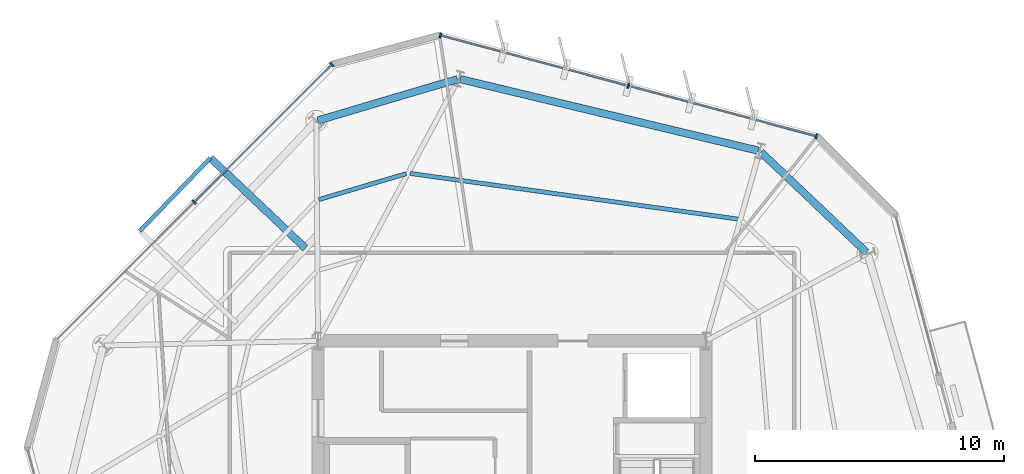
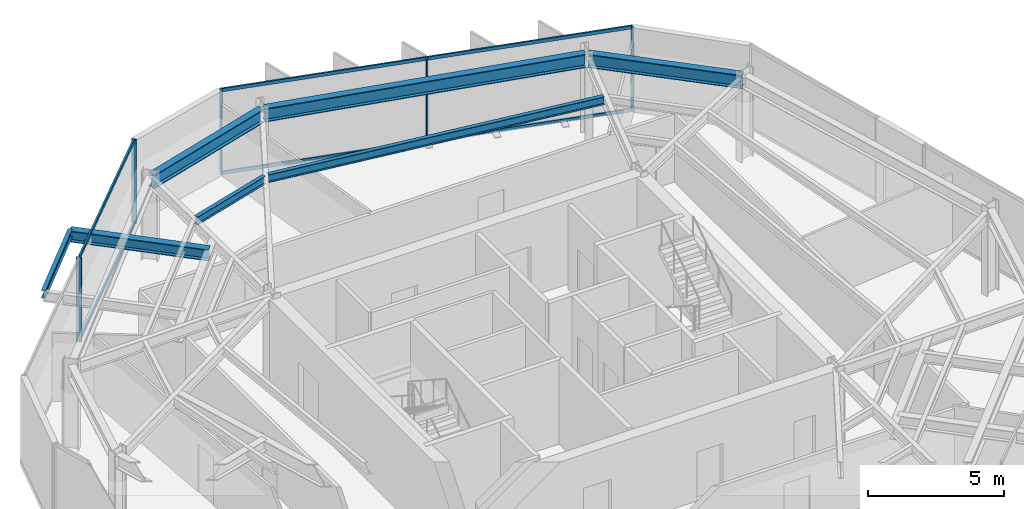
# One storey, part 6 of 12: 11 members, 7 beams, 2 elements without a shape of their own.
"""IFC4 building model written with IfcOpenShell, lengths in metres."""

from ifc_helpers import new_model, si_unit, direction, frame, origin, origin_2d, place, context, subcontext, project, spatial, rectangle, i_section, extrude, material, layer, layer_set, material_profile, profile_set, type_object, element, aggregate, save


model = new_model("IFC4")

# Units and contexts
model_context = context("Model", 3, precision=1e-05, world=origin(), true_north=direction((0.0, 1.0)))
body_context = subcontext(model_context, "Body", "Model", "MODEL_VIEW")
ifc_project = project(units=[si_unit("LENGTHUNIT", "METRE"), si_unit("AREAUNIT", "SQUARE_METRE"), si_unit("VOLUMEUNIT", "CUBIC_METRE"), si_unit("PLANEANGLEUNIT", "RADIAN"), si_unit("MASSUNIT", "GRAM", prefix="KILO")], contexts=[model_context])

# Site, building, storey
site_placement = place(None, origin())
site = spatial("IfcSite", under=ifc_project, at=site_placement, CompositionType="ELEMENT")
building_placement = place(site_placement, origin())
building = spatial("IfcBuilding", under=site, at=building_placement, Name="Kranzbogen Civic Tower", CompositionType="ELEMENT")
storey_placement = place(building_placement, frame((0.0, 0.0, 204.800048828125)))
storey = spatial("IfcBuildingStorey", under=building, at=storey_placement, Name="L49", CompositionType="ELEMENT", Elevation=204.800048828125)

# Curtain wall, members
ifc_material_1 = material(Name="Pale Anodised Aluminium", Category="aluminium")
ifc_layer = layer(ifc_material_1, 0.219970703125, Name="Pale Anodised Aluminium")
ifc_layer_set = layer_set([ifc_layer], Name="Pale Anodised Aluminium")
curtain_wall_type = type_object("IfcCurtainWallType", Name="Zone 3 Stick Curtain Wall System CW-04", PredefinedType="USERDEFINED", material=ifc_layer_set)
curtain_wall_1_placement = place(storey_placement, origin())
curtain_wall_1 = element("IfcCurtainWall", 1, at=curtain_wall_1_placement, inside=storey, type_object=curtain_wall_type, Name="L49 curtain wall CW-L49-F1", ObjectType="STICK CURTAIN WALL", PredefinedType="USERDEFINED")
ifc_material_profile_1 = material_profile(ifc_material_1, rectangle(XDim=0.070068359375, YDim=0.199951171875, at=origin_2d()), Name="ALU-M 70x200")
ifc_profile_set_1 = profile_set([ifc_material_profile_1], Name="Pale Anodised Aluminium")
member_type_1 = type_object("IfcMemberType", Name="Curtain Wall Mullion ALU-M 70x200", PredefinedType="MULLION", material=ifc_profile_set_1)
member_1_placement = place(storey_placement, frame((37.235107421875, 40.4306640625, 0.0), z_axis=(0.0, 0.0, 1.0), x_axis=(-0.965919350079, 0.25884321344, 0.0)))
member_1 = element("IfcMember", 2, at=member_1_placement, type_object=member_type_1, Name="CW-04 mullion 1", PredefinedType="MULLION", context=body_context, shape_type="SweptSolid", body=[
    extrude(rectangle(XDim=0.070068359375, YDim=0.199951171875, at=origin_2d()), origin(), (0.0, 0.0, 1.0), 3.780029296875),
])
member_2_placement = place(storey_placement, frame((29.677490234375, 42.4560546875, 0.0), z_axis=(0.0, 0.0, 1.0), x_axis=(-0.965919350079, 0.25884321344, 0.0)))
member_2 = element("IfcMember", 3, at=member_2_placement, type_object=member_type_1, Name="CW-04 mullion 2", PredefinedType="MULLION", context=body_context, shape_type="SweptSolid", body=[
    extrude(rectangle(XDim=0.070068359375, YDim=0.199951171875, at=origin_2d()), origin(), (0.0, 0.0, 1.0), 3.780029296875),
])
member_3_placement = place(storey_placement, frame((22.119873046875, 44.481201171875, 0.0), z_axis=(0.0, 0.0, 1.0), x_axis=(-0.965919350079, 0.25884321344, 0.0)))
member_3 = element("IfcMember", 4, at=member_3_placement, type_object=member_type_1, Name="CW-04 mullion 3", PredefinedType="MULLION", context=body_context, shape_type="SweptSolid", body=[
    extrude(rectangle(XDim=0.070068359375, YDim=0.199951171875, at=origin_2d()), origin(), (0.0, 0.0, 1.0), 3.780029296875),
])

curtain_wall_2_placement = place(storey_placement, origin())
curtain_wall_2 = element("IfcCurtainWall", 5, at=curtain_wall_2_placement, inside=storey, type_object=curtain_wall_type, Name="L49 curtain wall CW-L49-F2", ObjectType="STICK CURTAIN WALL", PredefinedType="USERDEFINED")
member_4_placement = place(storey_placement, frame((17.75390625, 43.310791015625, 0.0), z_axis=(0.0, 0.0, 1.0), x_axis=(-0.707106781187, -0.707106781187, 0.0)))
member_4 = element("IfcMember", 6, at=member_4_placement, type_object=member_type_1, Name="CW-04 mullion 1", PredefinedType="MULLION", context=body_context, shape_type="SweptSolid", body=[
    extrude(rectangle(XDim=0.070068359375, YDim=0.199951171875, at=origin_2d()), origin(), (0.0, 0.0, 1.0), 3.780029296875),
])
member_5_placement = place(storey_placement, frame((12.221435546875, 37.778564453125, 0.0), z_axis=(0.0, 0.0, 1.0), x_axis=(-0.707106781187, -0.707106781187, 0.0)))
member_5 = element("IfcMember", 7, at=member_5_placement, type_object=member_type_1, Name="CW-04 mullion 2", PredefinedType="MULLION", context=body_context, shape_type="SweptSolid", body=[
    extrude(rectangle(XDim=0.070068359375, YDim=0.199951171875, at=origin_2d()), origin(), (0.0, 0.0, 1.0), 3.780029296875),
])

# Member
ifc_material_profile_2 = material_profile(ifc_material_1, rectangle(XDim=0.070068359375, YDim=0.14990234375, at=origin_2d()), Name="ALU-T 70x150")
ifc_profile_set_2 = profile_set([ifc_material_profile_2], Name="Pale Anodised Aluminium")
member_type_2 = type_object("IfcMemberType", Name="Curtain Wall Transom ALU-T 70x150", PredefinedType="USERDEFINED", material=ifc_profile_set_2)
member_6_placement = place(storey_placement, frame((37.2060546875, 40.4384765625, 0.030029296875), z_axis=(-0.965916889874, 0.258852393953, 0.0), x_axis=(-0.258852393953, -0.965916889874, 0.0)))
member_6 = element("IfcMember", 8, at=member_6_placement, type_object=member_type_2, Name="CW-04 transom 1.1", ObjectType="TRANSOM", PredefinedType="USERDEFINED", context=body_context, shape_type="SweptSolid", body=[
    extrude(rectangle(XDim=0.070068359375, YDim=0.14990234375, at=origin_2d()), origin(), (0.0, 0.0, 1.0), 7.76416015625),
])

member_7_placement = place(storey_placement, frame((37.2060546875, 40.4384765625, 3.75), z_axis=(-0.965916889874, 0.258852393953, 0.0), x_axis=(-0.258852393953, -0.965916889874, 0.0)))
member_7 = element("IfcMember", 9, at=member_7_placement, type_object=member_type_2, Name="CW-04 transom 1.2", ObjectType="TRANSOM", PredefinedType="USERDEFINED", context=body_context, shape_type="SweptSolid", body=[
    extrude(rectangle(XDim=0.070068359375, YDim=0.14990234375, at=origin_2d()), origin(), (0.0, 0.0, 1.0), 7.76416015625),
])

member_8_placement = place(storey_placement, frame((29.6484375, 42.4638671875, 0.030029296875), z_axis=(-0.965924751597, 0.258823055876, 0.0), x_axis=(-0.258823055876, -0.965924751597, 0.0)))
member_8 = element("IfcMember", 10, at=member_8_placement, type_object=member_type_2, Name="CW-04 transom 2.1", ObjectType="TRANSOM", PredefinedType="USERDEFINED", context=body_context, shape_type="SweptSolid", body=[
    extrude(rectangle(XDim=0.070068359375, YDim=0.14990234375, at=origin_2d()), origin(), (0.0, 0.0, 1.0), 7.76416015625),
])

member_9_placement = place(storey_placement, frame((29.6484375, 42.4638671875, 3.75), z_axis=(-0.965924751597, 0.258823055876, 0.0), x_axis=(-0.258823055876, -0.965924751597, 0.0)))
member_9 = element("IfcMember", 11, at=member_9_placement, type_object=member_type_2, Name="CW-04 transom 2.2", ObjectType="TRANSOM", PredefinedType="USERDEFINED", context=body_context, shape_type="SweptSolid", body=[
    extrude(rectangle(XDim=0.070068359375, YDim=0.14990234375, at=origin_2d()), origin(), (0.0, 0.0, 1.0), 7.76416015625),
])

aggregate(curtain_wall_1, [member_1, member_2, member_3, member_6, member_7, member_8, member_9])

member_10_placement = place(storey_placement, frame((17.732666015625, 43.28955078125, 0.030029296875), z_axis=(-0.70712250393, -0.707091058094, 0.0), x_axis=(0.707091058094, -0.70712250393, 0.0)))
member_10 = element("IfcMember", 12, at=member_10_placement, type_object=member_type_2, Name="CW-04 transom 1.1", ObjectType="TRANSOM", PredefinedType="USERDEFINED", context=body_context, shape_type="SweptSolid", body=[
    extrude(rectangle(XDim=0.070068359375, YDim=0.14990234375, at=origin_2d()), origin(), (0.0, 0.0, 1.0), 7.763916015625),
])

member_11_placement = place(storey_placement, frame((17.732666015625, 43.28955078125, 3.75), z_axis=(-0.70712250393, -0.707091058094, 0.0), x_axis=(0.707091058094, -0.70712250393, 0.0)))
member_11 = element("IfcMember", 13, at=member_11_placement, type_object=member_type_2, Name="CW-04 transom 1.2", ObjectType="TRANSOM", PredefinedType="USERDEFINED", context=body_context, shape_type="SweptSolid", body=[
    extrude(rectangle(XDim=0.070068359375, YDim=0.14990234375, at=origin_2d()), origin(), (0.0, 0.0, 1.0), 7.763916015625),
])

aggregate(curtain_wall_2, [member_4, member_5, member_10, member_11])

# Beams
ifc_material_2 = material(Name="Steel S355", Category="steel")
ifc_material_profile_3 = material_profile(ifc_material_2, i_section(OverallWidth=0.300048828125, OverallDepth=0.5, WebThickness=0.014404296875, FlangeThickness=0.028076171875, at=origin_2d()), Name="HEB 500")
ifc_profile_set_3 = profile_set([ifc_material_profile_3], Name="Steel S355")
beam_type_1 = type_object("IfcBeamType", Name="Perimeter Tube Spandrel Beam HEB 500", PredefinedType="SPANDREL", material=ifc_profile_set_3)
beam_1_placement = place(storey_placement, frame((16.693115234375, 35.929931640625, 3.5), z_axis=(-0.725296873396, 0.688436231936, 0.0), x_axis=(-0.688436231936, -0.725296873396, 0.0)))
element("IfcBeam", 14, at=beam_1_placement, inside=storey, type_object=beam_type_1, Name="L50 back-spanned terrace beam L50-TB1-1", PredefinedType="SPANDREL", context=body_context, shape_type="SweptSolid", body=[
    extrude(i_section(OverallWidth=0.300048828125, OverallDepth=0.5, WebThickness=0.014404296875, FlangeThickness=0.028076171875, at=origin_2d()), origin(), (0.0, 0.0, 1.0), 5.265625),
])
ifc_material_profile_4 = material_profile(ifc_material_2, i_section(OverallWidth=0.300048828125, OverallDepth=0.60009765625, WebThickness=0.015380859375, FlangeThickness=0.030029296875, at=origin_2d()), Name="HEB 600")
ifc_profile_set_4 = profile_set([ifc_material_profile_4], Name="Steel S355")
beam_type_2 = type_object("IfcBeamType", Name="Perimeter Tube Spandrel Beam HEB 600", PredefinedType="SPANDREL", material=ifc_profile_set_4)
beam_2_placement = place(storey_placement, frame((39.2490234375, 35.764892578125, 3.47998046875), z_axis=(-0.725245206788, 0.688490660816, 0.0), x_axis=(-0.688490660816, -0.725245206788, 0.0)))
element("IfcBeam", 15, at=beam_2_placement, inside=storey, type_object=beam_type_2, Name="L49 perimeter spandrel beam 07", PredefinedType="SPANDREL", context=body_context, shape_type="SweptSolid", body=[
    extrude(i_section(OverallWidth=0.300048828125, OverallDepth=0.60009765625, WebThickness=0.015380859375, FlangeThickness=0.030029296875, at=origin_2d()), origin(), (0.0, 0.0, 1.0), 5.85205078125),
])
beam_3_placement = place(storey_placement, frame((34.903076171875, 39.84912109375, 3.47998046875), z_axis=(-0.972377592092, 0.233413406637, 0.0), x_axis=(-0.233413406637, -0.972377592092, 0.0)))
element("IfcBeam", 16, at=beam_3_placement, inside=storey, type_object=beam_type_2, Name="L49 perimeter spandrel beam 08", PredefinedType="SPANDREL", context=body_context, shape_type="SweptSolid", body=[
    extrude(i_section(OverallWidth=0.300048828125, OverallDepth=0.60009765625, WebThickness=0.015380859375, FlangeThickness=0.030029296875, at=origin_2d()), origin(), (0.0, 0.0, 1.0), 12.32568359375),
])
beam_4_placement = place(storey_placement, frame((22.802001953125, 42.722900390625, 3.47998046875), z_axis=(-0.9588296723, -0.283981794341, 0.0), x_axis=(0.283981794341, -0.9588296723, 0.0)))
element("IfcBeam", 17, at=beam_4_placement, inside=storey, type_object=beam_type_2, Name="L49 perimeter spandrel beam 09", PredefinedType="SPANDREL", context=body_context, shape_type="SweptSolid", body=[
    extrude(i_section(OverallWidth=0.300048828125, OverallDepth=0.60009765625, WebThickness=0.015380859375, FlangeThickness=0.030029296875, at=origin_2d()), origin(), (0.0, 0.0, 1.0), 5.85205078125),
])
ifc_material_profile_5 = material_profile(ifc_material_2, i_section(OverallWidth=0.169921875, OverallDepth=0.360107421875, WebThickness=0.008056640625, FlangeThickness=0.0126953125, at=origin_2d()), Name="IPE 360")
ifc_profile_set_5 = profile_set([ifc_material_profile_5], Name="Steel S355")
beam_type_3 = type_object("IfcBeamType", Name="Secondary Composite Floor Joist IPE 360", PredefinedType="JOIST", material=ifc_profile_set_5)
beam_5_placement = place(storey_placement, frame((34.10400390625, 37.096923828125, 3.599853515625), z_axis=(-0.990445837232, 0.137902296968, 0.0), x_axis=(-0.137902296968, -0.990445837232, 0.0)))
element("IfcBeam", 18, at=beam_5_placement, inside=storey, type_object=beam_type_3, Name="L49 secondary floor joist 1.08", PredefinedType="JOIST", context=body_context, shape_type="SweptSolid", body=[
    extrude(i_section(OverallWidth=0.169921875, OverallDepth=0.360107421875, WebThickness=0.008056640625, FlangeThickness=0.0126953125, at=origin_2d()), origin(), (0.0, 0.0, 1.0), 13.329345703125),
])
beam_6_placement = place(storey_placement, frame((20.74609375, 38.923095703125, 3.599853515625), z_axis=(-0.958843823165, -0.283934011309, 0.0), x_axis=(0.283934011309, -0.958843823165, 0.0)))
element("IfcBeam", 19, at=beam_6_placement, inside=storey, type_object=beam_type_3, Name="L49 secondary floor joist 1.09", PredefinedType="JOIST", context=body_context, shape_type="SweptSolid", body=[
    extrude(i_section(OverallWidth=0.169921875, OverallDepth=0.360107421875, WebThickness=0.008056640625, FlangeThickness=0.0126953125, at=origin_2d()), origin(), (0.0, 0.0, 1.0), 3.662841796875),
])
beam_7_placement = place(storey_placement, frame((12.8740234375, 39.554931640625, 3.570068359375), z_axis=(-0.694492006212, -0.719500419255, 0.0), x_axis=(0.719500419255, -0.694492006212, 0.0)))
element("IfcBeam", 20, at=beam_7_placement, inside=storey, type_object=beam_type_3, Name="L50 terrace outer edge trimmer L50-TB1", PredefinedType="JOIST", context=body_context, shape_type="SweptSolid", body=[
    extrude(i_section(OverallWidth=0.169921875, OverallDepth=0.360107421875, WebThickness=0.008056640625, FlangeThickness=0.0126953125, at=origin_2d()), origin(), (0.0, 0.0, 1.0), 4.08056640625),
])

save(model, "model.ifc")
